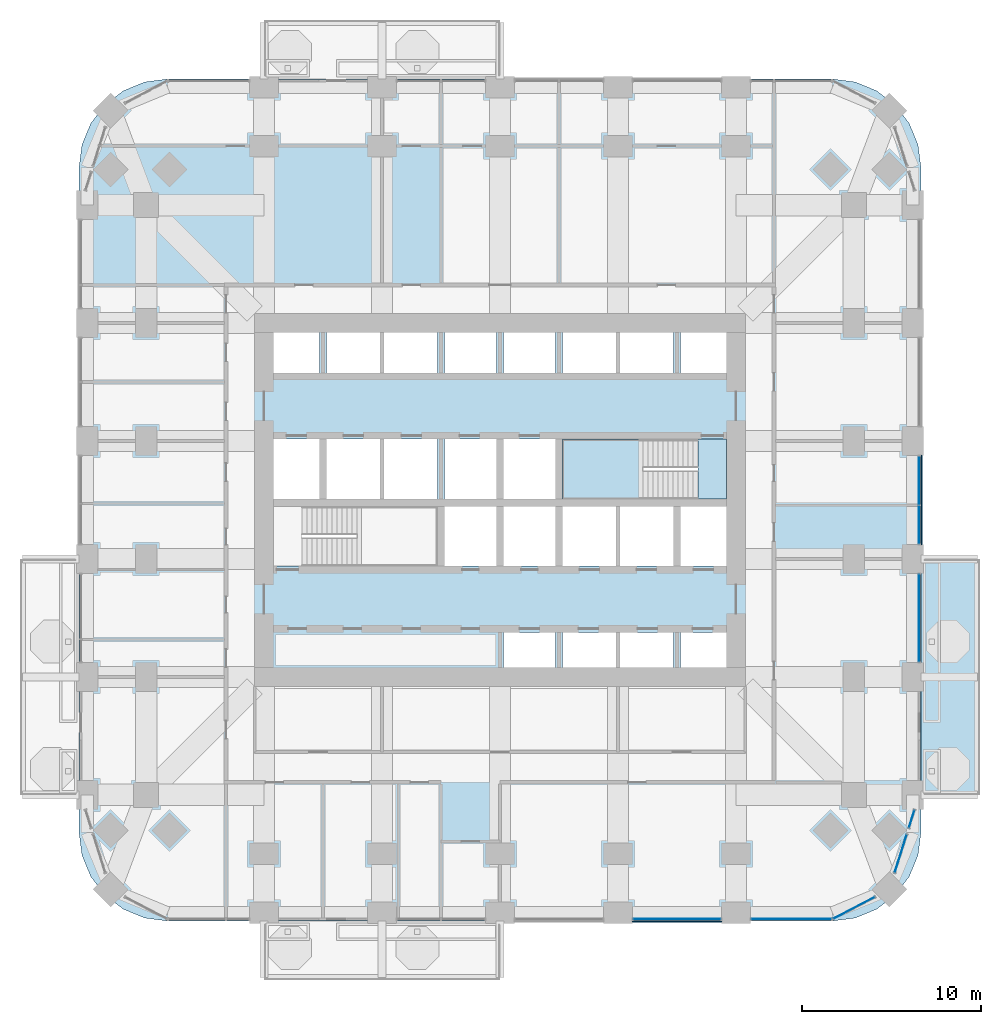
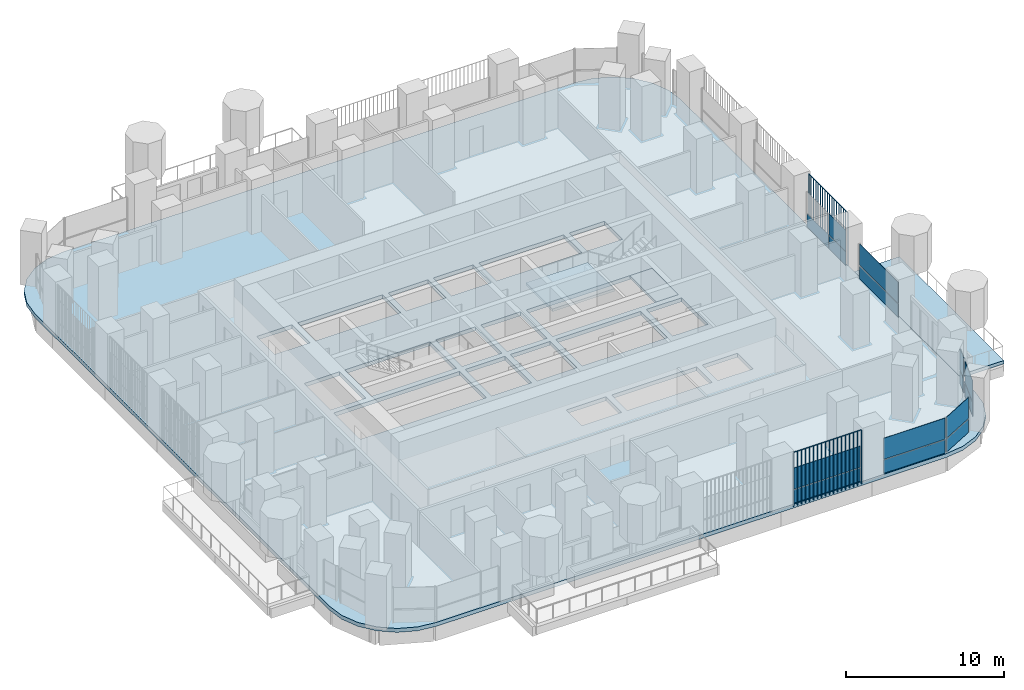
# One storey, part 9 of 21: 17 plates, 4 slabs, 8 elements without a shape of their own.
"""IFC4 building model written with IfcOpenShell, lengths in metres."""

from ifc_helpers import new_model, si_unit, direction, frame, origin, origin_2d, place, context, subcontext, project, spatial, polyline, rectangle, outline, extrude, material, layer, layer_set, type_object, element, aggregate, save


model = new_model("IFC4")

# Units and contexts
model_context = context("Model", 3, precision=1e-05, world=origin(), true_north=direction((0.0, 1.0)))
body_context = subcontext(model_context, "Body", "Model", "MODEL_VIEW")
ifc_project = project(units=[si_unit("LENGTHUNIT", "METRE"), si_unit("AREAUNIT", "SQUARE_METRE"), si_unit("VOLUMEUNIT", "CUBIC_METRE"), si_unit("PLANEANGLEUNIT", "RADIAN"), si_unit("MASSUNIT", "GRAM", prefix="KILO")], contexts=[model_context])

# Site, building, storey
site_placement = place(None, origin())
site = spatial("IfcSite", under=ifc_project, at=site_placement, CompositionType="ELEMENT")
building_placement = place(site_placement, origin())
building = spatial("IfcBuilding", under=site, at=building_placement, Name="Cobogo Forest Laboratory Tower", CompositionType="ELEMENT")
storey_placement = place(building_placement, frame((0.0, 0.0, 90.60009765625)))
storey = spatial("IfcBuildingStorey", under=building, at=storey_placement, Name="L20", CompositionType="ELEMENT", Elevation=90.60009765625)

# Slabs
ifc_material_1 = material(Name="Concrete HA-40 (C40/50)", Category="concrete")
ifc_layer_1 = layer(ifc_material_1, 0.25)
ifc_layer_set_1 = layer_set([ifc_layer_1], Name="Balcony slab 250")
slab_type_1 = type_object("IfcSlabType", Name="Balcony slab 250", PredefinedType="FLOOR", material=ifc_layer_set_1)
slab_1_placement = place(storey_placement, frame((0.0, 0.0, -0.25)))
element("IfcSlab", 1, at=slab_1_placement, inside=storey, type_object=slab_type_1, Name="Balcony BAL-E1 L20", PredefinedType="FLOOR", context=body_context, shape_type="SweptSolid", body=[
    extrude(outline(polyline([(49.949951171875, 6.60009765625), (53.25, 6.60009765625), (53.25, 19.800048828125), (49.949951171875, 19.800048828125), (49.949951171875, 6.60009765625)])), origin(), (0.0, 0.0, 1.0), 0.25),
])
ifc_layer_2 = layer(ifc_material_1, 0.300048828125)
ifc_layer_set_2 = layer_set([ifc_layer_2], Name="Floor slab 300")
slab_type_2 = type_object("IfcSlabType", Name="Floor slab 300", PredefinedType="FLOOR", material=ifc_layer_set_2)
slab_2_placement = place(storey_placement, frame((0.0, 0.0, -0.300048828125)))
element("IfcSlab", 2, at=slab_2_placement, inside=storey, type_object=slab_type_2, Name="L20 floor slab", PredefinedType="FLOOR", context=body_context, shape_type="SweptSolid", body=[
    extrude(outline(polyline([(45.0, -0.449951171875), (46.28125, -0.28125), (47.47509765625, 0.213134765625), (48.500244140625, 0.999755859375), (49.286865234375, 2.02490234375), (49.78125, 3.21875), (49.949951171875, 4.5), (49.949951171875, 41.699951171875), (49.78125, 42.981201171875), (49.286865234375, 44.175048828125), (48.500244140625, 45.2001953125), (47.47509765625, 45.98681640625), (46.28125, 46.4814453125), (45.0, 46.64990234375), (7.800048828125, 46.64990234375), (6.518798828125, 46.4814453125), (5.324951171875, 45.98681640625), (4.2998046875, 45.2001953125), (3.51318359375, 44.175048828125), (3.0185546875, 42.981201171875), (2.85009765625, 41.699951171875), (2.85009765625, 4.5), (3.0185546875, 3.21875), (3.51318359375, 2.02490234375), (4.2998046875, 0.999755859375), (5.324951171875, 0.213134765625), (6.518798828125, -0.28125), (7.800048828125, -0.449951171875), (45.0, -0.449951171875)]), holes=[polyline([(29.5, 13.72509765625), (26.60009765625, 13.72509765625), (26.60009765625, 15.699951171875), (29.5, 15.699951171875), (29.5, 13.72509765625)]), polyline([(36.10009765625, 15.699951171875), (36.10009765625, 13.72509765625), (29.89990234375, 13.72509765625), (29.89990234375, 15.699951171875), (36.10009765625, 15.699951171875)]), polyline([(36.5, 13.72509765625), (36.5, 15.699951171875), (39.074951171875, 15.699951171875), (39.074951171875, 13.72509765625), (36.5, 13.72509765625)]), polyline([(13.72509765625, 19.39990234375), (13.72509765625, 22.75), (22.89990234375, 22.75), (22.89990234375, 19.39990234375), (13.72509765625, 19.39990234375)]), polyline([(23.300048828125, 19.39990234375), (23.300048828125, 22.75), (26.199951171875, 22.75), (26.199951171875, 19.39990234375), (23.300048828125, 19.39990234375)]), polyline([(29.5, 19.39990234375), (26.60009765625, 19.39990234375), (26.60009765625, 22.75), (29.5, 22.75), (29.5, 19.39990234375)]), polyline([(36.10009765625, 22.75), (36.10009765625, 19.39990234375), (29.89990234375, 19.39990234375), (29.89990234375, 22.75), (36.10009765625, 22.75)]), polyline([(39.074951171875, 19.39990234375), (36.5, 19.39990234375), (36.5, 22.75), (39.074951171875, 22.75), (39.074951171875, 19.39990234375)]), polyline([(16.300048828125, 23.14990234375), (13.72509765625, 23.14990234375), (13.72509765625, 26.5), (16.300048828125, 26.5), (16.300048828125, 23.14990234375)]), polyline([(22.89990234375, 26.5), (22.89990234375, 23.14990234375), (16.699951171875, 23.14990234375), (16.699951171875, 26.5), (22.89990234375, 26.5)]), polyline([(26.199951171875, 23.14990234375), (23.300048828125, 23.14990234375), (23.300048828125, 26.5), (26.199951171875, 26.5), (26.199951171875, 23.14990234375)]), polyline([(26.60009765625, 23.14990234375), (26.60009765625, 26.5), (29.5, 26.5), (29.5, 23.14990234375), (26.60009765625, 23.14990234375)]), polyline([(29.89990234375, 23.14990234375), (29.89990234375, 26.5), (39.074951171875, 26.5), (39.074951171875, 23.14990234375), (29.89990234375, 23.14990234375)]), polyline([(13.72509765625, 30.199951171875), (13.72509765625, 32.47509765625), (16.300048828125, 32.47509765625), (16.300048828125, 30.199951171875), (13.72509765625, 30.199951171875)]), polyline([(22.89990234375, 32.47509765625), (22.89990234375, 30.199951171875), (16.699951171875, 30.199951171875), (16.699951171875, 32.47509765625), (22.89990234375, 32.47509765625)]), polyline([(23.300048828125, 30.199951171875), (23.300048828125, 32.47509765625), (26.199951171875, 32.47509765625), (26.199951171875, 30.199951171875), (23.300048828125, 30.199951171875)]), polyline([(26.60009765625, 30.199951171875), (26.60009765625, 32.47509765625), (29.5, 32.47509765625), (29.5, 30.199951171875), (26.60009765625, 30.199951171875)]), polyline([(36.10009765625, 32.47509765625), (36.10009765625, 30.199951171875), (29.89990234375, 30.199951171875), (29.89990234375, 32.47509765625), (36.10009765625, 32.47509765625)]), polyline([(36.5, 30.199951171875), (36.5, 32.47509765625), (39.074951171875, 32.47509765625), (39.074951171875, 30.199951171875), (36.5, 30.199951171875)])]), origin(), (0.0, 0.0, 1.0), 0.300048828125),
])

# Curtain wall, plates
ifc_material_2 = material(Name="Aluminium curtain wall", Category="aluminium")
curtain_wall_type = type_object("IfcCurtainWallType", Name="CW-1 unitised curtain wall, clear glazing, laboratory floors zones A and B", PredefinedType="USERDEFINED", material=ifc_material_2)
curtain_wall_1_placement = place(storey_placement, origin())
curtain_wall_1 = element("IfcCurtainWall", 3, at=curtain_wall_1_placement, inside=storey, type_object=curtain_wall_type, Name="Curtain wall 05 L20", ObjectType="UNITISED CURTAIN WALL", PredefinedType="USERDEFINED")
ifc_material_3 = material(Name="Clear insulated glass", Category="glass")
ifc_layer_3 = layer(ifc_material_3, 0.028076171875)
ifc_layer_set_3 = layer_set([ifc_layer_3], Name="GP-1 clear insulated glass unit 28")
plate_type_1 = type_object("IfcPlateType", Name="GP-1 clear insulated glass unit 28", PredefinedType="CURTAIN_PANEL", material=ifc_layer_set_3)
plate_1_placement = place(storey_placement, frame((36.300048828125, -0.35009765625, 0.0), z_axis=(0.0, 0.0, 1.0), x_axis=(1.0, 0.0, 0.0)))
plate_1 = element("IfcPlate", 4, at=plate_1_placement, type_object=plate_type_1, Name="CW-1 panel 1.1", PredefinedType="CURTAIN_PANEL", context=body_context, shape_type="SweptSolid", body=[
    extrude(rectangle(XDim=4.8798828125, YDim=0.028076171875, at=origin_2d()), origin(), (0.0, 0.0, 1.0), 1.02001953125),
])
plate_2_placement = place(storey_placement, frame((36.300048828125, -0.35009765625, 1.079833984375), z_axis=(0.0, 0.0, 1.0), x_axis=(1.0, 0.0, 0.0)))
plate_2 = element("IfcPlate", 5, at=plate_2_placement, type_object=plate_type_1, Name="CW-1 panel 1.2", PredefinedType="CURTAIN_PANEL", context=body_context, shape_type="SweptSolid", body=[
    extrude(rectangle(XDim=4.8798828125, YDim=0.028076171875, at=origin_2d()), origin(), (0.0, 0.0, 1.0), 1.6201171875),
])
aggregate(curtain_wall_1, [plate_1, plate_2])

curtain_wall_2_placement = place(storey_placement, origin())
curtain_wall_2 = element("IfcCurtainWall", 6, at=curtain_wall_2_placement, inside=storey, type_object=curtain_wall_type, Name="Curtain wall 06 L20", ObjectType="UNITISED CURTAIN WALL", PredefinedType="USERDEFINED")
plate_3_placement = place(storey_placement, frame((42.699951171875, -0.35009765625, 0.0), z_axis=(0.0, 0.0, 1.0), x_axis=(1.0, 0.0, 0.0)))
plate_3 = element("IfcPlate", 7, at=plate_3_placement, type_object=plate_type_1, Name="CW-1 panel 1.1", PredefinedType="CURTAIN_PANEL", context=body_context, shape_type="SweptSolid", body=[
    extrude(rectangle(XDim=4.47998046875, YDim=0.028076171875, at=origin_2d()), origin(), (0.0, 0.0, 1.0), 1.02001953125),
])
plate_4_placement = place(storey_placement, frame((42.699951171875, -0.35009765625, 1.079833984375), z_axis=(0.0, 0.0, 1.0), x_axis=(1.0, 0.0, 0.0)))
plate_4 = element("IfcPlate", 8, at=plate_4_placement, type_object=plate_type_1, Name="CW-1 panel 1.2", PredefinedType="CURTAIN_PANEL", context=body_context, shape_type="SweptSolid", body=[
    extrude(rectangle(XDim=4.47998046875, YDim=0.028076171875, at=origin_2d()), origin(), (0.0, 0.0, 1.0), 1.6201171875),
])
aggregate(curtain_wall_2, [plate_3, plate_4])

curtain_wall_3_placement = place(storey_placement, origin())
curtain_wall_3 = element("IfcCurtainWall", 9, at=curtain_wall_3_placement, inside=storey, type_object=curtain_wall_type, Name="Curtain wall 07 L20", ObjectType="UNITISED CURTAIN WALL", PredefinedType="USERDEFINED")
plate_5_placement = place(storey_placement, frame((46.2060546875, 0.2822265625, 0.0), z_axis=(0.0, 0.0, 1.0), x_axis=(0.885686540666, 0.464283697413, 0.0)))
plate_5 = element("IfcPlate", 10, at=plate_5_placement, type_object=plate_type_1, Name="CW-1 panel 1.1", PredefinedType="CURTAIN_PANEL", context=body_context, shape_type="SweptSolid", body=[
    extrude(rectangle(XDim=2.603271484375, YDim=0.028076171875, at=origin_2d()), origin(), (0.0, 0.0, 1.0), 1.02001953125),
])
plate_6_placement = place(storey_placement, frame((46.2060546875, 0.2822265625, 1.079833984375), z_axis=(0.0, 0.0, 1.0), x_axis=(0.885686540666, 0.464283697413, 0.0)))
plate_6 = element("IfcPlate", 11, at=plate_6_placement, type_object=plate_type_1, Name="CW-1 panel 1.2", PredefinedType="CURTAIN_PANEL", context=body_context, shape_type="SweptSolid", body=[
    extrude(rectangle(XDim=2.603271484375, YDim=0.028076171875, at=origin_2d()), origin(), (0.0, 0.0, 1.0), 1.6201171875),
])
aggregate(curtain_wall_3, [plate_5, plate_6])

curtain_wall_4_placement = place(storey_placement, origin())
curtain_wall_4 = element("IfcCurtainWall", 12, at=curtain_wall_4_placement, inside=storey, type_object=curtain_wall_type, Name="Curtain wall 08 L20", ObjectType="UNITISED CURTAIN WALL", PredefinedType="USERDEFINED")
plate_7_placement = place(storey_placement, frame((48.8134765625, 3.31787109375, 0.0), z_axis=(0.0, 0.0, 1.0), x_axis=(0.301135343623, 0.953581409645, 0.0)))
plate_7 = element("IfcPlate", 13, at=plate_7_placement, type_object=plate_type_1, Name="CW-1 panel 1.1", PredefinedType="CURTAIN_PANEL", context=body_context, shape_type="SweptSolid", body=[
    extrude(rectangle(XDim=2.203369140625, YDim=0.028076171875, at=origin_2d()), origin(), (0.0, 0.0, 1.0), 1.02001953125),
])
plate_8_placement = place(storey_placement, frame((48.8134765625, 3.31787109375, 1.079833984375), z_axis=(0.0, 0.0, 1.0), x_axis=(0.301135343623, 0.953581409645, 0.0)))
plate_8 = element("IfcPlate", 14, at=plate_8_placement, type_object=plate_type_1, Name="CW-1 panel 1.2", PredefinedType="CURTAIN_PANEL", context=body_context, shape_type="SweptSolid", body=[
    extrude(rectangle(XDim=2.203369140625, YDim=0.028076171875, at=origin_2d()), origin(), (0.0, 0.0, 1.0), 1.6201171875),
])
aggregate(curtain_wall_4, [plate_7, plate_8])

curtain_wall_5_placement = place(storey_placement, origin())
curtain_wall_5 = element("IfcCurtainWall", 15, at=curtain_wall_5_placement, inside=storey, type_object=curtain_wall_type, Name="Curtain wall 09 L20", ObjectType="UNITISED CURTAIN WALL", PredefinedType="USERDEFINED")
plate_9_placement = place(storey_placement, frame((49.426513671875, 5.259033203125, 0.0), z_axis=(0.0, 0.0, 1.0), x_axis=(0.3011355018, 0.953581359694, 0.0)))
plate_9 = element("IfcPlate", 16, at=plate_9_placement, type_object=plate_type_1, Name="CW-1 panel 1.1", PredefinedType="CURTAIN_PANEL", context=body_context, shape_type="SweptSolid", body=[
    extrude(rectangle(XDim=1.0146484375, YDim=0.028076171875, at=origin_2d()), origin(), (0.0, 0.0, 1.0), 1.02001953125),
])
plate_10_placement = place(storey_placement, frame((49.426513671875, 5.259033203125, 1.079833984375), z_axis=(0.0, 0.0, 1.0), x_axis=(0.3011355018, 0.953581359694, 0.0)))
plate_10 = element("IfcPlate", 17, at=plate_10_placement, type_object=plate_type_1, Name="CW-1 panel 1.2", PredefinedType="CURTAIN_PANEL", context=body_context, shape_type="SweptSolid", body=[
    extrude(rectangle(XDim=1.0146484375, YDim=0.028076171875, at=origin_2d()), origin(), (0.0, 0.0, 1.0), 1.6201171875),
])
aggregate(curtain_wall_5, [plate_9, plate_10])

curtain_wall_6_placement = place(storey_placement, origin())
curtain_wall_6 = element("IfcCurtainWall", 18, at=curtain_wall_6_placement, inside=storey, type_object=curtain_wall_type, Name="Curtain wall 11 L20", ObjectType="UNITISED CURTAIN WALL", PredefinedType="USERDEFINED")
plate_11_placement = place(storey_placement, frame((49.85009765625, 16.5, 0.0), z_axis=(0.0, 0.0, 1.0), x_axis=(0.0, 1.0, 0.0)))
plate_11 = element("IfcPlate", 19, at=plate_11_placement, type_object=plate_type_1, Name="CW-1 panel 1.1", PredefinedType="CURTAIN_PANEL", context=body_context, shape_type="SweptSolid", body=[
    extrude(rectangle(XDim=4.8798828125, YDim=0.028076171875, at=origin_2d()), origin(), (0.0, 0.0, 1.0), 1.02001953125),
])
plate_12_placement = place(storey_placement, frame((49.85009765625, 16.5, 1.079833984375), z_axis=(0.0, 0.0, 1.0), x_axis=(0.0, 1.0, 0.0)))
plate_12 = element("IfcPlate", 20, at=plate_12_placement, type_object=plate_type_1, Name="CW-1 panel 1.2", PredefinedType="CURTAIN_PANEL", context=body_context, shape_type="SweptSolid", body=[
    extrude(rectangle(XDim=4.8798828125, YDim=0.028076171875, at=origin_2d()), origin(), (0.0, 0.0, 1.0), 1.6201171875),
])
aggregate(curtain_wall_6, [plate_11, plate_12])

curtain_wall_7_placement = place(storey_placement, origin())
curtain_wall_7 = element("IfcCurtainWall", 21, at=curtain_wall_7_placement, inside=storey, type_object=curtain_wall_type, Name="Curtain wall 12 L20", ObjectType="UNITISED CURTAIN WALL", PredefinedType="USERDEFINED")
plate_13_placement = place(storey_placement, frame((49.85009765625, 21.715087890625, 0.0), z_axis=(0.0, 0.0, 1.0), x_axis=(0.0, 1.0, 0.0)))
plate_13 = element("IfcPlate", 22, at=plate_13_placement, type_object=plate_type_1, Name="CW-1 panel 1.1", PredefinedType="CURTAIN_PANEL", context=body_context, shape_type="SweptSolid", body=[
    extrude(rectangle(XDim=2.110107421875, YDim=0.028076171875, at=origin_2d()), origin(), (0.0, 0.0, 1.0), 1.02001953125),
])
plate_14_placement = place(storey_placement, frame((49.85009765625, 21.715087890625, 1.079833984375), z_axis=(0.0, 0.0, 1.0), x_axis=(0.0, 1.0, 0.0)))
plate_14 = element("IfcPlate", 23, at=plate_14_placement, type_object=plate_type_1, Name="CW-1 panel 1.2", PredefinedType="CURTAIN_PANEL", context=body_context, shape_type="SweptSolid", body=[
    extrude(rectangle(XDim=2.110107421875, YDim=0.028076171875, at=origin_2d()), origin(), (0.0, 0.0, 1.0), 1.6201171875),
])
plate_15_placement = place(storey_placement, frame((49.85009765625, 24.18505859375, 0.0), z_axis=(0.0, 0.0, 1.0), x_axis=(0.0, 1.0, 0.0)))
plate_15 = element("IfcPlate", 24, at=plate_15_placement, type_object=plate_type_1, Name="CW-1 panel 2.1", PredefinedType="CURTAIN_PANEL", context=body_context, shape_type="SweptSolid", body=[
    extrude(rectangle(XDim=2.7099609375, YDim=0.028076171875, at=origin_2d()), origin(), (0.0, 0.0, 1.0), 1.02001953125),
])
aggregate(curtain_wall_7, [plate_13, plate_14, plate_15])

# Stair, slabs
ifc_material_4 = material(Name="Precast concrete HA-40 (C40/50)", Category="concrete")
stair_type = type_object("IfcStairType", Name="ST24 exit stair 24 risers", PredefinedType="HALF_TURN_STAIR", material=ifc_material_4)
stair_placement = place(storey_placement, origin())
stair = element("IfcStair", 25, at=stair_placement, inside=storey, type_object=stair_type, Name="Stair 2 L20 to L21", PredefinedType="HALF_TURN_STAIR")
ifc_layer_4 = layer(ifc_material_1, 0.199951171875)
ifc_layer_set_4 = layer_set([ifc_layer_4], Name="SL stair landing 200")
slab_type_3 = type_object("IfcSlabType", Name="SL stair landing 200", PredefinedType="LANDING", material=ifc_layer_set_4)
slab_3_placement = place(storey_placement, frame((0.0, 0.0, -0.2001953125)))
slab_3 = element("IfcSlab", 26, at=slab_3_placement, type_object=slab_type_3, Name="ST2 landing 1", PredefinedType="LANDING", context=body_context, shape_type="SweptSolid", body=[
    extrude(outline(polyline([(37.472900390625, 23.14990234375), (39.074951171875, 23.14990234375), (39.074951171875, 26.5), (37.472900390625, 26.5), (37.472900390625, 23.14990234375)])), origin(), (0.0, 0.0, 1.0), 0.2001953125),
])
slab_4_placement = place(storey_placement, frame((0.0, 0.0, 1.89990234375)))
slab_4 = element("IfcSlab", 27, at=slab_4_placement, type_object=slab_type_3, Name="ST2 landing 2", PredefinedType="LANDING", context=body_context, shape_type="SweptSolid", body=[
    extrude(outline(polyline([(29.89990234375, 23.14990234375), (34.39697265625, 23.14990234375), (34.39697265625, 26.5), (29.89990234375, 26.5), (29.89990234375, 23.14990234375)])), origin(), (0.0, 0.0, 1.0), 0.199951171875),
])
aggregate(stair, [slab_3, slab_4])

# Plates
ifc_material_5 = material(Name="Terracotta", Category="masonry")
plate_type_2 = type_object("IfcPlateType", Name="TB1 terracotta baguette screen", PredefinedType="USERDEFINED", material=ifc_material_5)
plate_16_placement = place(storey_placement, frame((33.831298828125, -0.477783203125, -0.150146484375)))
element("IfcPlate", 28, at=plate_16_placement, inside=storey, type_object=plate_type_2, Name="Baguette screen S4 L20", ObjectType="BAGUETTE SCREEN", PredefinedType="USERDEFINED", context=body_context, shape_type="SweptSolid", body=[
    extrude(outline(polyline([(0.02880859375, 0.011962890625), (0.011962890625, 0.02880859375), (-0.011962890625, 0.02880859375), (-0.02880859375, 0.011962890625), (-0.02880859375, -0.011962890625), (-0.011962890625, -0.02880859375), (0.011962890625, -0.02880859375), (0.02880859375, -0.011962890625), (0.02880859375, 0.011962890625)])), frame((0.0, 0.0, 4.168701171875), z_axis=(1.0, 0.0, 0.0), x_axis=(0.0, 1.0, 0.0)), (0.0, 0.0, 1.0), 4.9375),
    extrude(outline(polyline([(0.02880859375, 0.011962890625), (0.011962890625, 0.02880859375), (-0.011962890625, 0.02880859375), (-0.02880859375, 0.011962890625), (-0.02880859375, -0.011962890625), (-0.011962890625, -0.02880859375), (0.011962890625, -0.02880859375), (0.02880859375, -0.011962890625), (0.02880859375, 0.011962890625)])), origin(), (0.0, 0.0, 1.0), 4.137451171875),
    extrude(outline(polyline([(0.02880859375, 0.011962890625), (0.011962890625, 0.02880859375), (-0.011962890625, 0.02880859375), (-0.02880859375, 0.011962890625), (-0.02880859375, -0.011962890625), (-0.011962890625, -0.02880859375), (0.011962890625, -0.02880859375), (0.02880859375, -0.011962890625), (0.02880859375, 0.011962890625)])), frame((0.29052734375, 0.0, 0.0)), (0.0, 0.0, 1.0), 4.137451171875),
    extrude(outline(polyline([(0.02880859375, 0.011962890625), (0.011962890625, 0.02880859375), (-0.011962890625, 0.02880859375), (-0.02880859375, 0.011962890625), (-0.02880859375, -0.011962890625), (-0.011962890625, -0.02880859375), (0.011962890625, -0.02880859375), (0.02880859375, -0.011962890625), (0.02880859375, 0.011962890625)])), frame((0.580810546875, 0.0, 0.0)), (0.0, 0.0, 1.0), 4.137451171875),
    extrude(outline(polyline([(0.02880859375, 0.011962890625), (0.011962890625, 0.02880859375), (-0.011962890625, 0.02880859375), (-0.02880859375, 0.011962890625), (-0.02880859375, -0.011962890625), (-0.011962890625, -0.02880859375), (0.011962890625, -0.02880859375), (0.02880859375, -0.011962890625), (0.02880859375, 0.011962890625)])), frame((0.871337890625, 0.0, 0.0)), (0.0, 0.0, 1.0), 4.137451171875),
    extrude(outline(polyline([(0.02880859375, 0.011962890625), (0.011962890625, 0.02880859375), (-0.011962890625, 0.02880859375), (-0.02880859375, 0.011962890625), (-0.02880859375, -0.011962890625), (-0.011962890625, -0.02880859375), (0.011962890625, -0.02880859375), (0.02880859375, -0.011962890625), (0.02880859375, 0.011962890625)])), frame((1.161865234375, 0.0, 0.0)), (0.0, 0.0, 1.0), 4.137451171875),
    extrude(outline(polyline([(0.02880859375, 0.011962890625), (0.011962890625, 0.02880859375), (-0.011962890625, 0.02880859375), (-0.02880859375, 0.011962890625), (-0.02880859375, -0.011962890625), (-0.011962890625, -0.02880859375), (0.011962890625, -0.02880859375), (0.02880859375, -0.011962890625), (0.02880859375, 0.011962890625)])), frame((1.4521484375, 0.0, 0.0)), (0.0, 0.0, 1.0), 4.137451171875),
    extrude(outline(polyline([(0.02880859375, 0.011962890625), (0.011962890625, 0.02880859375), (-0.011962890625, 0.02880859375), (-0.02880859375, 0.011962890625), (-0.02880859375, -0.011962890625), (-0.011962890625, -0.02880859375), (0.011962890625, -0.02880859375), (0.02880859375, -0.011962890625), (0.02880859375, 0.011962890625)])), frame((1.74267578125, 0.0, 0.0)), (0.0, 0.0, 1.0), 4.137451171875),
    extrude(outline(polyline([(0.02880859375, 0.011962890625), (0.011962890625, 0.02880859375), (-0.011962890625, 0.02880859375), (-0.02880859375, 0.011962890625), (-0.02880859375, -0.011962890625), (-0.011962890625, -0.02880859375), (0.011962890625, -0.02880859375), (0.02880859375, -0.011962890625), (0.02880859375, 0.011962890625)])), frame((2.033203125, 0.0, 0.0)), (0.0, 0.0, 1.0), 4.137451171875),
    extrude(outline(polyline([(0.02880859375, 0.011962890625), (0.011962890625, 0.02880859375), (-0.011962890625, 0.02880859375), (-0.02880859375, 0.011962890625), (-0.02880859375, -0.011962890625), (-0.011962890625, -0.02880859375), (0.011962890625, -0.02880859375), (0.02880859375, -0.011962890625), (0.02880859375, 0.011962890625)])), frame((2.323486328125, 0.0, 0.0)), (0.0, 0.0, 1.0), 4.137451171875),
    extrude(outline(polyline([(0.02880859375, 0.011962890625), (0.011962890625, 0.02880859375), (-0.011962890625, 0.02880859375), (-0.02880859375, 0.011962890625), (-0.02880859375, -0.011962890625), (-0.011962890625, -0.02880859375), (0.011962890625, -0.02880859375), (0.02880859375, -0.011962890625), (0.02880859375, 0.011962890625)])), frame((2.614013671875, 0.0, 0.0)), (0.0, 0.0, 1.0), 4.137451171875),
    extrude(outline(polyline([(0.02880859375, 0.011962890625), (0.011962890625, 0.02880859375), (-0.011962890625, 0.02880859375), (-0.02880859375, 0.011962890625), (-0.02880859375, -0.011962890625), (-0.011962890625, -0.02880859375), (0.011962890625, -0.02880859375), (0.02880859375, -0.011962890625), (0.02880859375, 0.011962890625)])), frame((2.904296875, 0.0, 0.0)), (0.0, 0.0, 1.0), 4.137451171875),
    extrude(outline(polyline([(0.02880859375, 0.011962890625), (0.011962890625, 0.02880859375), (-0.011962890625, 0.02880859375), (-0.02880859375, 0.011962890625), (-0.02880859375, -0.011962890625), (-0.011962890625, -0.02880859375), (0.011962890625, -0.02880859375), (0.02880859375, -0.011962890625), (0.02880859375, 0.011962890625)])), frame((3.19482421875, 0.0, 0.0)), (0.0, 0.0, 1.0), 4.137451171875),
    extrude(outline(polyline([(0.02880859375, 0.011962890625), (0.011962890625, 0.02880859375), (-0.011962890625, 0.02880859375), (-0.02880859375, 0.011962890625), (-0.02880859375, -0.011962890625), (-0.011962890625, -0.02880859375), (0.011962890625, -0.02880859375), (0.02880859375, -0.011962890625), (0.02880859375, 0.011962890625)])), frame((3.4853515625, 0.0, 0.0)), (0.0, 0.0, 1.0), 4.137451171875),
    extrude(outline(polyline([(0.02880859375, 0.011962890625), (0.011962890625, 0.02880859375), (-0.011962890625, 0.02880859375), (-0.02880859375, 0.011962890625), (-0.02880859375, -0.011962890625), (-0.011962890625, -0.02880859375), (0.011962890625, -0.02880859375), (0.02880859375, -0.011962890625), (0.02880859375, 0.011962890625)])), frame((3.775634765625, 0.0, 0.0)), (0.0, 0.0, 1.0), 4.137451171875),
    extrude(outline(polyline([(0.02880859375, 0.011962890625), (0.011962890625, 0.02880859375), (-0.011962890625, 0.02880859375), (-0.02880859375, 0.011962890625), (-0.02880859375, -0.011962890625), (-0.011962890625, -0.02880859375), (0.011962890625, -0.02880859375), (0.02880859375, -0.011962890625), (0.02880859375, 0.011962890625)])), frame((4.066162109375, 0.0, 0.0)), (0.0, 0.0, 1.0), 4.137451171875),
    extrude(outline(polyline([(0.02880859375, 0.011962890625), (0.011962890625, 0.02880859375), (-0.011962890625, 0.02880859375), (-0.02880859375, 0.011962890625), (-0.02880859375, -0.011962890625), (-0.011962890625, -0.02880859375), (0.011962890625, -0.02880859375), (0.02880859375, -0.011962890625), (0.02880859375, 0.011962890625)])), frame((4.356689453125, 0.0, 0.0)), (0.0, 0.0, 1.0), 4.137451171875),
    extrude(outline(polyline([(0.02880859375, 0.011962890625), (0.011962890625, 0.02880859375), (-0.011962890625, 0.02880859375), (-0.02880859375, 0.011962890625), (-0.02880859375, -0.011962890625), (-0.011962890625, -0.02880859375), (0.011962890625, -0.02880859375), (0.02880859375, -0.011962890625), (0.02880859375, 0.011962890625)])), frame((4.64697265625, 0.0, 0.0)), (0.0, 0.0, 1.0), 4.137451171875),
    extrude(outline(polyline([(0.02880859375, 0.011962890625), (0.011962890625, 0.02880859375), (-0.011962890625, 0.02880859375), (-0.02880859375, 0.011962890625), (-0.02880859375, -0.011962890625), (-0.011962890625, -0.02880859375), (0.011962890625, -0.02880859375), (0.02880859375, -0.011962890625), (0.02880859375, 0.011962890625)])), frame((4.9375, 0.0, 0.0)), (0.0, 0.0, 1.0), 4.137451171875),
])
plate_17_placement = place(storey_placement, frame((49.977783203125, 20.63134765625, -0.150146484375)))
element("IfcPlate", 29, at=plate_17_placement, inside=storey, type_object=plate_type_2, Name="Baguette screen E3 L20", ObjectType="BAGUETTE SCREEN", PredefinedType="USERDEFINED", context=body_context, shape_type="SweptSolid", body=[
    extrude(outline(polyline([(0.02880859375, 0.011962890625), (0.011962890625, 0.02880859375), (-0.011962890625, 0.02880859375), (-0.02880859375, 0.011962890625), (-0.02880859375, -0.011962890625), (-0.011962890625, -0.02880859375), (0.011962890625, -0.02880859375), (0.02880859375, -0.011962890625), (0.02880859375, 0.011962890625)])), frame((0.0, 0.0, 4.168701171875), z_axis=(0.0, 1.0, 0.0), x_axis=(-1.0, 0.0, 0.0)), (0.0, 0.0, 1.0), 4.9375),
    extrude(outline(polyline([(0.02880859375, 0.011962890625), (0.011962890625, 0.02880859375), (-0.011962890625, 0.02880859375), (-0.02880859375, 0.011962890625), (-0.02880859375, -0.011962890625), (-0.011962890625, -0.02880859375), (0.011962890625, -0.02880859375), (0.02880859375, -0.011962890625), (0.02880859375, 0.011962890625)])), origin(), (0.0, 0.0, 1.0), 4.137451171875),
    extrude(outline(polyline([(0.02880859375, 0.011962890625), (0.011962890625, 0.02880859375), (-0.011962890625, 0.02880859375), (-0.02880859375, 0.011962890625), (-0.02880859375, -0.011962890625), (-0.011962890625, -0.02880859375), (0.011962890625, -0.02880859375), (0.02880859375, -0.011962890625), (0.02880859375, 0.011962890625)])), frame((0.0, 0.29052734375, 0.0)), (0.0, 0.0, 1.0), 4.137451171875),
    extrude(outline(polyline([(0.02880859375, 0.011962890625), (0.011962890625, 0.02880859375), (-0.011962890625, 0.02880859375), (-0.02880859375, 0.011962890625), (-0.02880859375, -0.011962890625), (-0.011962890625, -0.02880859375), (0.011962890625, -0.02880859375), (0.02880859375, -0.011962890625), (0.02880859375, 0.011962890625)])), frame((0.0, 0.580810546875, 0.0)), (0.0, 0.0, 1.0), 4.137451171875),
    extrude(outline(polyline([(0.02880859375, 0.011962890625), (0.011962890625, 0.02880859375), (-0.011962890625, 0.02880859375), (-0.02880859375, 0.011962890625), (-0.02880859375, -0.011962890625), (-0.011962890625, -0.02880859375), (0.011962890625, -0.02880859375), (0.02880859375, -0.011962890625), (0.02880859375, 0.011962890625)])), frame((0.0, 0.871337890625, 0.0)), (0.0, 0.0, 1.0), 4.137451171875),
    extrude(outline(polyline([(0.02880859375, 0.011962890625), (0.011962890625, 0.02880859375), (-0.011962890625, 0.02880859375), (-0.02880859375, 0.011962890625), (-0.02880859375, -0.011962890625), (-0.011962890625, -0.02880859375), (0.011962890625, -0.02880859375), (0.02880859375, -0.011962890625), (0.02880859375, 0.011962890625)])), frame((0.0, 1.161865234375, 0.0)), (0.0, 0.0, 1.0), 4.137451171875),
    extrude(outline(polyline([(0.02880859375, 0.011962890625), (0.011962890625, 0.02880859375), (-0.011962890625, 0.02880859375), (-0.02880859375, 0.011962890625), (-0.02880859375, -0.011962890625), (-0.011962890625, -0.02880859375), (0.011962890625, -0.02880859375), (0.02880859375, -0.011962890625), (0.02880859375, 0.011962890625)])), frame((0.0, 1.4521484375, 0.0)), (0.0, 0.0, 1.0), 4.137451171875),
    extrude(outline(polyline([(0.02880859375, 0.011962890625), (0.011962890625, 0.02880859375), (-0.011962890625, 0.02880859375), (-0.02880859375, 0.011962890625), (-0.02880859375, -0.011962890625), (-0.011962890625, -0.02880859375), (0.011962890625, -0.02880859375), (0.02880859375, -0.011962890625), (0.02880859375, 0.011962890625)])), frame((0.0, 1.74267578125, 0.0)), (0.0, 0.0, 1.0), 4.137451171875),
    extrude(outline(polyline([(0.02880859375, 0.011962890625), (0.011962890625, 0.02880859375), (-0.011962890625, 0.02880859375), (-0.02880859375, 0.011962890625), (-0.02880859375, -0.011962890625), (-0.011962890625, -0.02880859375), (0.011962890625, -0.02880859375), (0.02880859375, -0.011962890625), (0.02880859375, 0.011962890625)])), frame((0.0, 2.033203125, 0.0)), (0.0, 0.0, 1.0), 4.137451171875),
    extrude(outline(polyline([(0.02880859375, 0.011962890625), (0.011962890625, 0.02880859375), (-0.011962890625, 0.02880859375), (-0.02880859375, 0.011962890625), (-0.02880859375, -0.011962890625), (-0.011962890625, -0.02880859375), (0.011962890625, -0.02880859375), (0.02880859375, -0.011962890625), (0.02880859375, 0.011962890625)])), frame((0.0, 2.323486328125, 0.0)), (0.0, 0.0, 1.0), 4.137451171875),
    extrude(outline(polyline([(0.02880859375, 0.011962890625), (0.011962890625, 0.02880859375), (-0.011962890625, 0.02880859375), (-0.02880859375, 0.011962890625), (-0.02880859375, -0.011962890625), (-0.011962890625, -0.02880859375), (0.011962890625, -0.02880859375), (0.02880859375, -0.011962890625), (0.02880859375, 0.011962890625)])), frame((0.0, 2.614013671875, 0.0)), (0.0, 0.0, 1.0), 4.137451171875),
    extrude(outline(polyline([(0.02880859375, 0.011962890625), (0.011962890625, 0.02880859375), (-0.011962890625, 0.02880859375), (-0.02880859375, 0.011962890625), (-0.02880859375, -0.011962890625), (-0.011962890625, -0.02880859375), (0.011962890625, -0.02880859375), (0.02880859375, -0.011962890625), (0.02880859375, 0.011962890625)])), frame((0.0, 2.904296875, 0.0)), (0.0, 0.0, 1.0), 4.137451171875),
    extrude(outline(polyline([(0.02880859375, 0.011962890625), (0.011962890625, 0.02880859375), (-0.011962890625, 0.02880859375), (-0.02880859375, 0.011962890625), (-0.02880859375, -0.011962890625), (-0.011962890625, -0.02880859375), (0.011962890625, -0.02880859375), (0.02880859375, -0.011962890625), (0.02880859375, 0.011962890625)])), frame((0.0, 3.19482421875, 0.0)), (0.0, 0.0, 1.0), 4.137451171875),
    extrude(outline(polyline([(0.02880859375, 0.011962890625), (0.011962890625, 0.02880859375), (-0.011962890625, 0.02880859375), (-0.02880859375, 0.011962890625), (-0.02880859375, -0.011962890625), (-0.011962890625, -0.02880859375), (0.011962890625, -0.02880859375), (0.02880859375, -0.011962890625), (0.02880859375, 0.011962890625)])), frame((0.0, 3.4853515625, 0.0)), (0.0, 0.0, 1.0), 4.137451171875),
    extrude(outline(polyline([(0.02880859375, 0.011962890625), (0.011962890625, 0.02880859375), (-0.011962890625, 0.02880859375), (-0.02880859375, 0.011962890625), (-0.02880859375, -0.011962890625), (-0.011962890625, -0.02880859375), (0.011962890625, -0.02880859375), (0.02880859375, -0.011962890625), (0.02880859375, 0.011962890625)])), frame((0.0, 3.775634765625, 0.0)), (0.0, 0.0, 1.0), 4.137451171875),
    extrude(outline(polyline([(0.02880859375, 0.011962890625), (0.011962890625, 0.02880859375), (-0.011962890625, 0.02880859375), (-0.02880859375, 0.011962890625), (-0.02880859375, -0.011962890625), (-0.011962890625, -0.02880859375), (0.011962890625, -0.02880859375), (0.02880859375, -0.011962890625), (0.02880859375, 0.011962890625)])), frame((0.0, 4.066162109375, 0.0)), (0.0, 0.0, 1.0), 4.137451171875),
    extrude(outline(polyline([(0.02880859375, 0.011962890625), (0.011962890625, 0.02880859375), (-0.011962890625, 0.02880859375), (-0.02880859375, 0.011962890625), (-0.02880859375, -0.011962890625), (-0.011962890625, -0.02880859375), (0.011962890625, -0.02880859375), (0.02880859375, -0.011962890625), (0.02880859375, 0.011962890625)])), frame((0.0, 4.356689453125, 0.0)), (0.0, 0.0, 1.0), 4.137451171875),
    extrude(outline(polyline([(0.02880859375, 0.011962890625), (0.011962890625, 0.02880859375), (-0.011962890625, 0.02880859375), (-0.02880859375, 0.011962890625), (-0.02880859375, -0.011962890625), (-0.011962890625, -0.02880859375), (0.011962890625, -0.02880859375), (0.02880859375, -0.011962890625), (0.02880859375, 0.011962890625)])), frame((0.0, 4.64697265625, 0.0)), (0.0, 0.0, 1.0), 4.137451171875),
    extrude(outline(polyline([(0.02880859375, 0.011962890625), (0.011962890625, 0.02880859375), (-0.011962890625, 0.02880859375), (-0.02880859375, 0.011962890625), (-0.02880859375, -0.011962890625), (-0.011962890625, -0.02880859375), (0.011962890625, -0.02880859375), (0.02880859375, -0.011962890625), (0.02880859375, 0.011962890625)])), frame((0.0, 4.9375, 0.0)), (0.0, 0.0, 1.0), 4.137451171875),
])

save(model, "model.ifc")
